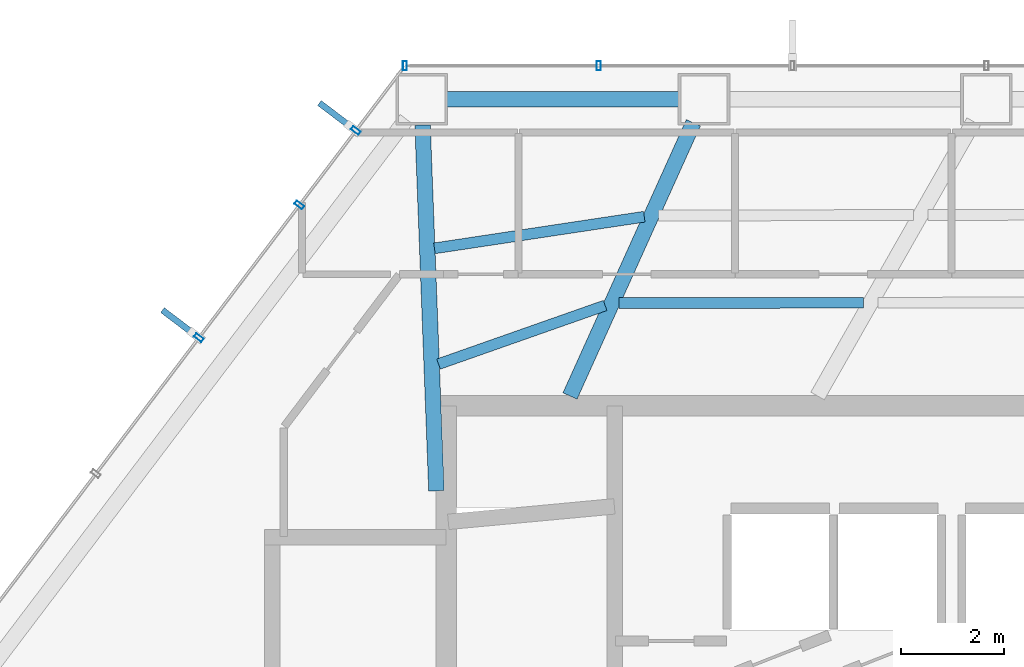
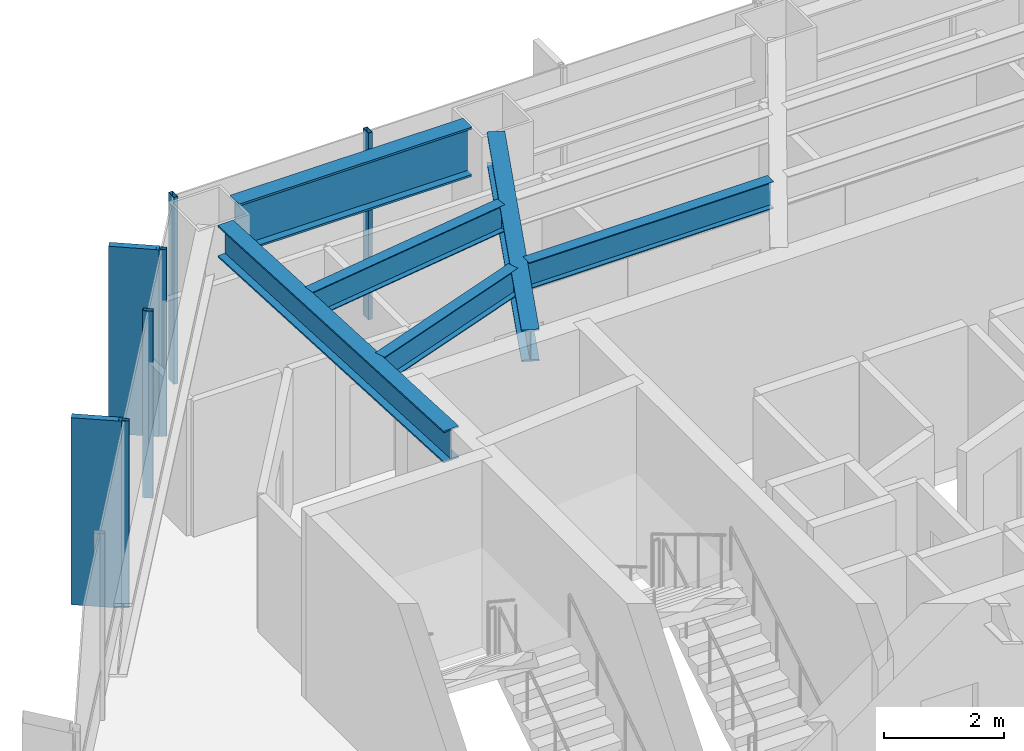
# One storey, part 12 of 25: 7 members, 6 beams, 2 elements without a shape of their own.
"""IFC4 building model written with IfcOpenShell, lengths in metres."""

import ifcopenshell
import ifcopenshell.guid

model = None  # the IFC model being written
_history = None  # IfcOwnerHistory: only IFC2X3 demands one
_inside = {}  # id of a spatial element -> (the spatial element, [elements in it])
_under = {}  # id of a project, library or spatial element -> (it, [spatial elements below it])
_declared = {}  # id of a project -> (the project, [libraries it declares])
_typed = {}  # id of a type object -> (the type object, [elements of that type])
_made_of = {}  # id of a material, layer set ... -> (it, [elements and type objects made of it])


def new_model(schema):
    """Start an empty IFC model of exactly this schema.

    Asked for "IFC4X3", IfcOpenShell would pick the latest addendum, in which some entities
    have other attributes; the version numbers below select the first issue.
    IFC2X3 requires an IfcOwnerHistory on every rooted entity: one is made here for all.
    """
    global model, _history
    if schema == "IFC4X3":
        model = ifcopenshell.file(schema_version=(4, 3, 0, 0))
    else:
        model = ifcopenshell.file(schema=schema)
    _inside.clear()
    _under.clear()
    _declared.clear()
    _typed.clear()
    _made_of.clear()
    _history = None
    if model.schema == "IFC2X3":
        org = make("IfcOrganization", Name="unknown")
        user = make(
            "IfcPersonAndOrganization",
            ThePerson=make("IfcPerson", FamilyName="unknown"),
            TheOrganization=org,
        )
        app = make(
            "IfcApplication",
            ApplicationDeveloper=org,
            Version="unknown",
            ApplicationFullName="unknown",
            ApplicationIdentifier="unknown",
        )
        _history = make(
            "IfcOwnerHistory",
            OwningUser=user,
            OwningApplication=app,
            ChangeAction="ADDED",
            CreationDate=0,
        )
    return model


def make(cls, **values):
    """One entity of the class cls with the attributes given. An attribute that is None is left unset."""
    return model.create_entity(
        cls, **{name: value for name, value in values.items() if value is not None}
    )


def rooted(cls, **values):
    """An entity with a GlobalId (a new one), such as an element, a storey or a relation."""
    return make(cls, GlobalId=ifcopenshell.guid.new(), OwnerHistory=_history, **values)


def si_unit(unit_type, name, prefix=None):
    """IfcSIUnit, for example si_unit("LENGTHUNIT", "METRE", prefix="MILLI")."""
    return make("IfcSIUnit", UnitType=unit_type, Prefix=prefix, Name=name)


def assignment(units):
    """IfcUnitAssignment: the units of a project."""
    return None if units is None else make("IfcUnitAssignment", Units=units)


def point(xyz):
    """IfcCartesianPoint."""
    return None if xyz is None else make("IfcCartesianPoint", Coordinates=xyz)


def direction(xyz):
    """IfcDirection."""
    return None if xyz is None else make("IfcDirection", DirectionRatios=xyz)


def frame(location, z_axis=None, x_axis=None):
    """IfcAxis2Placement3D, a coordinate frame: its origin and axes. An axis left out is left unset."""
    return make(
        "IfcAxis2Placement3D",
        Location=point(location),
        Axis=direction(z_axis),
        RefDirection=direction(x_axis),
    )


def frame_2d(location, x_axis=None):
    """IfcAxis2Placement2D, a coordinate frame in the plane: its origin and x axis."""
    return make(
        "IfcAxis2Placement2D", Location=point(location), RefDirection=direction(x_axis)
    )


def origin():
    """The frame at (0, 0, 0) with its axes left unset."""
    return frame((0.0, 0.0, 0.0))


def origin_2d():
    """The frame at (0, 0) in the plane with its x axis left unset."""
    return frame_2d((0.0, 0.0))


def place(relative_to, where):
    """IfcLocalPlacement: puts the frame where relative to a parent placement (None: the world)."""
    return make(
        "IfcLocalPlacement", PlacementRelTo=relative_to, RelativePlacement=where
    )


def context(
    kind, dimensions, precision=None, world=None, true_north=None, identifier=None
):
    """IfcGeometricRepresentationContext, for example the 3D "Model" context."""
    return make(
        "IfcGeometricRepresentationContext",
        ContextIdentifier=identifier,
        ContextType=kind,
        CoordinateSpaceDimension=dimensions,
        Precision=precision,
        WorldCoordinateSystem=world,
        TrueNorth=true_north,
    )


def subcontext(parent, identifier, kind, view, scale=None):
    """IfcGeometricRepresentationSubContext, for example "Body" below "Model"."""
    return make(
        "IfcGeometricRepresentationSubContext",
        ContextIdentifier=identifier,
        ContextType=kind,
        ParentContext=parent,
        TargetScale=scale,
        TargetView=view,
    )


def project(units=None, contexts=None):
    """IfcProject with its units and contexts."""
    return rooted(
        "IfcProject",
        Name="project",
        RepresentationContexts=contexts,
        UnitsInContext=assignment(units),
    )


def spatial(cls, under=None, at=None, **own):
    """A site, building, storey or space (cls), placed at a placement, below another one or the project."""
    s = rooted(cls, ObjectPlacement=at, **own)
    if under is not None:
        _under.setdefault(under.id(), (under, []))[1].append(s)
    return s


def profile(cls, at=None, kind="AREA", **sizes):
    """A parametric profile (cls). Its sizes go by their IFC names, for example OverallWidth=200.0."""
    return make(cls, ProfileType=kind, Position=at, **sizes)


def rectangle(**sizes):
    """IfcRectangleProfileDef."""
    return profile("IfcRectangleProfileDef", **sizes)


def hollow_rectangle(**sizes):
    """IfcRectangleHollowProfileDef."""
    return profile("IfcRectangleHollowProfileDef", **sizes)


def i_section(**sizes):
    """IfcIShapeProfileDef."""
    return profile("IfcIShapeProfileDef", **sizes)


def extrude(swept, where, along, depth):
    """IfcExtrudedAreaSolid: the profile swept, set in the frame where, extruded along a direction by depth."""
    return make(
        "IfcExtrudedAreaSolid",
        SweptArea=swept,
        Position=where,
        ExtrudedDirection=direction(along),
        Depth=depth,
    )


def shape(context_of_items, identifier, shape_type, items):
    """IfcShapeRepresentation: the items that make up one representation, for example the "Body"."""
    return make(
        "IfcShapeRepresentation",
        ContextOfItems=context_of_items,
        RepresentationIdentifier=identifier,
        RepresentationType=shape_type,
        Items=items,
    )


def material(Name=None, Category=None):
    """IfcMaterial."""
    return make("IfcMaterial", Name=Name, Category=Category)


def layer(
    of_material, thickness, ventilated=None, Name=None, Category=None, Priority=None
):
    """IfcMaterialLayer: one layer of a wall or slab, of a material (None: an air gap)."""
    return make(
        "IfcMaterialLayer",
        Material=of_material,
        LayerThickness=thickness,
        IsVentilated=ventilated,
        Name=Name,
        Category=Category,
        Priority=Priority,
    )


def layer_set(layers, Name=None):
    """IfcMaterialLayerSet."""
    return make("IfcMaterialLayerSet", MaterialLayers=layers, LayerSetName=Name)


def material_profile(
    of_material, cross_section, Name=None, Category=None, Priority=None
):
    """IfcMaterialProfile: a cross section and its material."""
    return make(
        "IfcMaterialProfile",
        Name=Name,
        Material=of_material,
        Profile=cross_section,
        Priority=Priority,
        Category=Category,
    )


def profile_set(profiles, Name=None, composite=None):
    """IfcMaterialProfileSet."""
    return make(
        "IfcMaterialProfileSet",
        Name=Name,
        MaterialProfiles=profiles,
        CompositeProfile=composite,
    )


def made_of(thing, what):
    """Note that an element or type object is made of a material, layer set ...; save() writes the relation."""
    if what is not None:
        _made_of.setdefault(what.id(), (what, []))[1].append(thing)
    return thing


def type_object(cls, material=None, **own):
    """A type object (cls), such as IfcWallType, which elements share."""
    return made_of(rooted(cls, **own), material)


def element(
    cls,
    number,
    at=None,
    inside=None,
    cuts=None,
    type_object=None,
    material=None,
    context=None,
    identifier="Body",
    shape_type=None,
    held_by="IfcProductDefinitionShape",
    body=None,
    shapes=None,
    **own,
):
    """One element of the class cls, such as IfcWall. Its Tag is "e" and its number.

    at: its placement. inside: the storey or other place that contains it. cuts: it is an
    opening in that element (IfcRelVoidsElement). A single representation is given by context,
    identifier, shape_type and body (its items); several are given by shapes. held_by: the class
    of the entity that holds the representations. save() writes the other relations.
    """
    e = rooted(cls, Tag="e%d" % number, ObjectPlacement=at, **own)
    if body is not None:
        shapes = [shape(context, identifier, shape_type, body)]
    if shapes is not None:
        e.Representation = make(held_by, Representations=shapes)
    if inside is not None:
        _inside.setdefault(inside.id(), (inside, []))[1].append(e)
    if cuts is not None:
        rooted(
            "IfcRelVoidsElement", RelatingBuildingElement=cuts, RelatedOpeningElement=e
        )
    if type_object is not None:
        _typed.setdefault(type_object.id(), (type_object, []))[1].append(e)
    return made_of(e, material)


def aggregate(whole, parts):
    """IfcRelAggregates: a whole, such as a stair, and the parts it consists of."""
    return rooted("IfcRelAggregates", RelatingObject=whole, RelatedObjects=parts)


def save(model, path):
    """Write the relations noted so far, then the file.

    IfcRelAggregates (storeys below a building ...), IfcRelContainedInSpatialStructure (elements
    in a storey), IfcRelDefinesByType, IfcRelAssociatesMaterial and IfcRelDeclares: one each for
    every whole, place, type object, material and project.
    """
    for whole, parts in _under.values():
        aggregate(whole, parts)
    for where, things in _inside.values():
        rooted(
            "IfcRelContainedInSpatialStructure",
            RelatedElements=things,
            RelatingStructure=where,
        )
    for kind, things in _typed.values():
        rooted("IfcRelDefinesByType", RelatedObjects=things, RelatingType=kind)
    for what, things in _made_of.values():
        rooted("IfcRelAssociatesMaterial", RelatedObjects=things, RelatingMaterial=what)
    for by, libraries in _declared.values():
        rooted("IfcRelDeclares", RelatingContext=by, RelatedDefinitions=libraries)
    model.write(path)


model = new_model("IFC4")

# Units and contexts
model_context = context("Model", 3, precision=1e-05, world=origin(), true_north=direction((0.0, 1.0)))
body_context = subcontext(model_context, "Body", "Model", "MODEL_VIEW")
ifc_project = project(units=[si_unit("LENGTHUNIT", "METRE"), si_unit("AREAUNIT", "SQUARE_METRE"), si_unit("VOLUMEUNIT", "CUBIC_METRE"), si_unit("PLANEANGLEUNIT", "RADIAN"), si_unit("MASSUNIT", "GRAM", prefix="KILO")], contexts=[model_context])

# Site, building, storey
site_placement = place(None, origin())
site = spatial("IfcSite", under=ifc_project, at=site_placement, CompositionType="ELEMENT")
building_placement = place(site_placement, origin())
building = spatial("IfcBuilding", under=site, at=building_placement, Name="Zarrinselat Tower", CompositionType="ELEMENT")
storey_placement = place(building_placement, frame((0.0, 0.0, 43.860107421875)))
storey = spatial("IfcBuildingStorey", under=building, at=storey_placement, Name="L10", CompositionType="ELEMENT", Elevation=43.860107421875)

# Beams
ifc_material_1 = material(Name="Steel S355J2", Category="steel")
ifc_material_profile_1 = material_profile(ifc_material_1, i_section(OverallWidth=0.300048828125, OverallDepth=0.64990234375, WebThickness=0.01611328125, FlangeThickness=0.031005859375, at=origin_2d()), Name="HEB 650")
ifc_profile_set_1 = profile_set([ifc_material_profile_1], Name="Steel S355J2")
beam_type_1 = type_object("IfcBeamType", Name="BM-HEB650", PredefinedType="BEAM", material=ifc_profile_set_1)
beam_1_placement = place(storey_placement, frame((31.0, 43.639892578125, 3.494873046875), z_axis=(0.411494429737, 0.911412274602, 0.0), x_axis=(-0.911412274602, 0.411494429737, 0.0)))
element("IfcBeam", 1, at=beam_1_placement, inside=storey, type_object=beam_type_1, Name="L10 Radial Primary Girder RG04", PredefinedType="BEAM", context=body_context, shape_type="SweptSolid", body=[
    extrude(i_section(OverallWidth=0.300048828125, OverallDepth=0.64990234375, WebThickness=0.01611328125, FlangeThickness=0.031005859375, at=origin_2d()), origin(), (0.0, 0.0, 1.0), 5.81201171875),
])
beam_2_placement = place(storey_placement, frame((28.14111328125, 48.892822265625, 3.494873046875), z_axis=(0.037870377551, -0.999282659964, 0.0), x_axis=(0.999282659964, 0.037870377551, 0.0)))
element("IfcBeam", 2, at=beam_2_placement, inside=storey, type_object=beam_type_1, Name="L10 Radial Primary Girder RG05", PredefinedType="BEAM", context=body_context, shape_type="SweptSolid", body=[
    extrude(i_section(OverallWidth=0.300048828125, OverallDepth=0.64990234375, WebThickness=0.01611328125, FlangeThickness=0.031005859375, at=origin_2d()), origin(), (0.0, 0.0, 1.0), 7.097900390625),
])
ifc_material_2 = material(Name="Steel S460M", Category="steel")
ifc_material_profile_2 = material_profile(ifc_material_2, i_section(OverallWidth=0.302001953125, OverallDepth=1.008056640625, WebThickness=0.02099609375, FlangeThickness=0.0400390625, at=origin_2d()), Name="HEM 1000")
ifc_profile_set_2 = profile_set([ifc_material_profile_2], Name="Steel S460M")
beam_type_2 = type_object("IfcBeamType", Name="BM-HEM1000", PredefinedType="BEAM", material=ifc_profile_set_2)
beam_3_placement = place(storey_placement, frame((28.610107421875, 49.394287109375, 3.31591796875), z_axis=(1.0, 0.0, 0.0), x_axis=(0.0, 1.0, 0.0)))
element("IfcBeam", 3, at=beam_3_placement, inside=storey, type_object=beam_type_2, Name="L10 Perimeter Spandrel Girder SP04", PredefinedType="BEAM", context=body_context, shape_type="SweptSolid", body=[
    extrude(i_section(OverallWidth=0.302001953125, OverallDepth=1.008056640625, WebThickness=0.02099609375, FlangeThickness=0.0400390625, at=origin_2d()), origin(), (0.0, 0.0, 1.0), 4.5),
])
ifc_material_3 = material(Name="Steel S355J2", Category="steel")
ifc_material_profile_3 = material_profile(ifc_material_3, i_section(OverallWidth=0.2099609375, OverallDepth=0.550048828125, WebThickness=0.010986328125, FlangeThickness=0.01708984375, at=origin_2d()), Name="IPE 550")
ifc_profile_set_3 = profile_set([ifc_material_profile_3], Name="Steel S355J2")
beam_type_3 = type_object("IfcBeamType", Name="BM-IPE550", PredefinedType="JOIST", material=ifc_profile_set_3)
beam_4_placement = place(storey_placement, frame((31.953125, 45.441162109375, 3.544921875), z_axis=(0.999998958123, 0.00144352069, 0.0), x_axis=(-0.00144352069, 0.999998958123, 0.0)))
element("IfcBeam", 4, at=beam_4_placement, inside=storey, type_object=beam_type_3, Name="L10 Composite Floor Joist 9-2", PredefinedType="JOIST", context=body_context, shape_type="SweptSolid", body=[
    extrude(i_section(OverallWidth=0.2099609375, OverallDepth=0.550048828125, WebThickness=0.010986328125, FlangeThickness=0.01708984375, at=origin_2d()), origin(), (0.0, 0.0, 1.0), 4.735595703125),
])
beam_5_placement = place(storey_placement, frame((28.37109375, 46.502197265625, 3.544921875), z_axis=(0.988848267317, 0.148926506118, 0.0), x_axis=(-0.148926506118, 0.988848267317, 0.0)))
element("IfcBeam", 5, at=beam_5_placement, inside=storey, type_object=beam_type_3, Name="L10 Composite Floor Joist 10-1", PredefinedType="JOIST", context=body_context, shape_type="SweptSolid", body=[
    extrude(i_section(OverallWidth=0.2099609375, OverallDepth=0.550048828125, WebThickness=0.010986328125, FlangeThickness=0.01708984375, at=origin_2d()), origin(), (0.0, 0.0, 1.0), 4.11474609375),
])
beam_6_placement = place(storey_placement, frame((28.45068359375, 44.258056640625, 3.544921875), z_axis=(0.943328096954, 0.33186156978, 0.0), x_axis=(-0.33186156978, 0.943328096954, 0.0)))
element("IfcBeam", 6, at=beam_6_placement, inside=storey, type_object=beam_type_3, Name="L10 Composite Floor Joist 10-2", PredefinedType="JOIST", context=body_context, shape_type="SweptSolid", body=[
    extrude(i_section(OverallWidth=0.2099609375, OverallDepth=0.550048828125, WebThickness=0.010986328125, FlangeThickness=0.01708984375, at=origin_2d()), origin(), (0.0, 0.0, 1.0), 3.424560546875),
])

# Curtain wall, members
ifc_material_4 = material(Name="Extruded Aluminium Alloy EN AW-6063 T6", Category="aluminium")
ifc_layer = layer(ifc_material_4, 0.18505859375)
ifc_layer_set = layer_set([ifc_layer], Name="Extruded Aluminium Alloy EN AW-6063 T6")
curtain_wall_type = type_object("IfcCurtainWallType", Name="CWS-OFF", PredefinedType="NOTDEFINED", material=ifc_layer_set)
curtain_wall_1_placement = place(storey_placement, origin())
curtain_wall_1 = element("IfcCurtainWall", 7, at=curtain_wall_1_placement, inside=storey, type_object=curtain_wall_type, Name="L10 Unitised Curtain Wall CW-L10-E01", PredefinedType="NOTDEFINED")
ifc_material_5 = material(Name="Extruded Aluminium Alloy EN AW-6063 T6", Category="aluminium")
ifc_material_profile_4 = material_profile(ifc_material_5, hollow_rectangle(XDim=0.080078125, YDim=0.179931640625, WallThickness=0.0048828125, at=origin_2d()), Name="RHS 180x80x5")
ifc_profile_set_4 = profile_set([ifc_material_profile_4], Name="Extruded Aluminium Alloy EN AW-6063 T6")
member_type_1 = type_object("IfcMemberType", Name="MEM-CW-MUL", PredefinedType="MULLION", material=ifc_profile_set_4)
member_1_placement = place(storey_placement, frame((31.5576171875, 50.04443359375, 0.0), z_axis=(0.0, 0.0, 1.0), x_axis=(-1.0, 0.0, 0.0)))
member_1 = element("IfcMember", 8, at=member_1_placement, type_object=member_type_1, Name="CW-L10-E01 Mullion 6", PredefinedType="MULLION", context=body_context, shape_type="SweptSolid", body=[
    extrude(hollow_rectangle(XDim=0.080078125, YDim=0.179931640625, WallThickness=0.0048828125, at=origin_2d()), origin(), (0.0, 0.0, 1.0), 3.81982421875),
])
member_2_placement = place(storey_placement, frame((27.799072265625, 50.04443359375, 0.0), z_axis=(0.0, 0.0, 1.0), x_axis=(-1.0, 0.0, 0.0)))
member_2 = element("IfcMember", 9, at=member_2_placement, type_object=member_type_1, Name="CW-L10-E01 Mullion 7", PredefinedType="MULLION", context=body_context, shape_type="SweptSolid", body=[
    extrude(hollow_rectangle(XDim=0.080078125, YDim=0.179931640625, WallThickness=0.0048828125, at=origin_2d()), origin(), (0.0, 0.0, 1.0), 3.81982421875),
])
aggregate(curtain_wall_1, [member_1, member_2])

curtain_wall_2_placement = place(storey_placement, origin())
curtain_wall_2 = element("IfcCurtainWall", 10, at=curtain_wall_2_placement, inside=storey, type_object=curtain_wall_type, Name="L10 Unitised Curtain Wall CW-L10-E02", PredefinedType="NOTDEFINED")
member_3_placement = place(storey_placement, frame((26.845947265625, 48.7861328125, 0.0), z_axis=(0.0, 0.0, 1.0), x_axis=(-0.603856912101, -0.797092735952, 0.0)))
member_3 = element("IfcMember", 11, at=member_3_placement, type_object=member_type_1, Name="CW-L10-E02 Mullion 1", PredefinedType="MULLION", context=body_context, shape_type="SweptSolid", body=[
    extrude(hollow_rectangle(XDim=0.080078125, YDim=0.179931640625, WallThickness=0.0048828125, at=origin_2d()), origin(), (0.0, 0.0, 1.0), 3.81982421875),
])
member_4_placement = place(storey_placement, frame((25.752197265625, 47.34228515625, 0.0), z_axis=(0.0, 0.0, 1.0), x_axis=(-0.603856912101, -0.797092735952, 0.0)))
member_4 = element("IfcMember", 12, at=member_4_placement, type_object=member_type_1, Name="CW-L10-E02 Mullion 2", PredefinedType="MULLION", context=body_context, shape_type="SweptSolid", body=[
    extrude(hollow_rectangle(XDim=0.080078125, YDim=0.179931640625, WallThickness=0.0048828125, at=origin_2d()), origin(), (0.0, 0.0, 1.0), 3.81982421875),
])
member_5_placement = place(storey_placement, frame((23.80322265625, 44.77001953125, 0.0), z_axis=(0.0, 0.0, 1.0), x_axis=(-0.603856912101, -0.797092735952, 0.0)))
member_5 = element("IfcMember", 13, at=member_5_placement, type_object=member_type_1, Name="CW-L10-E02 Mullion 3", PredefinedType="MULLION", context=body_context, shape_type="SweptSolid", body=[
    extrude(hollow_rectangle(XDim=0.080078125, YDim=0.179931640625, WallThickness=0.0048828125, at=origin_2d()), origin(), (0.0, 0.0, 1.0), 3.81982421875),
])
ifc_material_6 = material(Name="Honed Cream Travertine Stone", Category="masonry")
ifc_material_profile_5 = material_profile(ifc_material_6, rectangle(XDim=0.1201171875, YDim=0.85009765625, at=origin_2d()), Name="FIN 850x120")
ifc_profile_set_5 = profile_set([ifc_material_profile_5], Name="Honed Cream Travertine Stone")
member_type_2 = type_object("IfcMemberType", Name="MEM-STONE-FIN", PredefinedType="USERDEFINED", material=ifc_profile_set_5)
member_6_placement = place(storey_placement, frame((26.479248046875, 49.06396484375, 0.0), z_axis=(0.0, 0.0, 1.0), x_axis=(0.603856912101, 0.797092735952, 0.0)))
member_6 = element("IfcMember", 14, at=member_6_placement, type_object=member_type_2, Name="L10 Stone Shading Fin CW-L10-E02-01", ObjectType="FIN", PredefinedType="USERDEFINED", context=body_context, shape_type="SweptSolid", body=[
    extrude(rectangle(XDim=0.1201171875, YDim=0.85009765625, at=origin_2d()), origin(), (0.0, 0.0, 1.0), 3.81982421875),
])
member_7_placement = place(storey_placement, frame((23.4365234375, 45.047607421875, 0.0), z_axis=(0.0, 0.0, 1.0), x_axis=(0.603856912101, 0.797092735952, 0.0)))
member_7 = element("IfcMember", 15, at=member_7_placement, type_object=member_type_2, Name="L10 Stone Shading Fin CW-L10-E02-03", ObjectType="FIN", PredefinedType="USERDEFINED", context=body_context, shape_type="SweptSolid", body=[
    extrude(rectangle(XDim=0.1201171875, YDim=0.85009765625, at=origin_2d()), origin(), (0.0, 0.0, 1.0), 3.81982421875),
])
aggregate(curtain_wall_2, [member_3, member_6, member_4, member_5, member_7])

save(model, "model.ifc")
